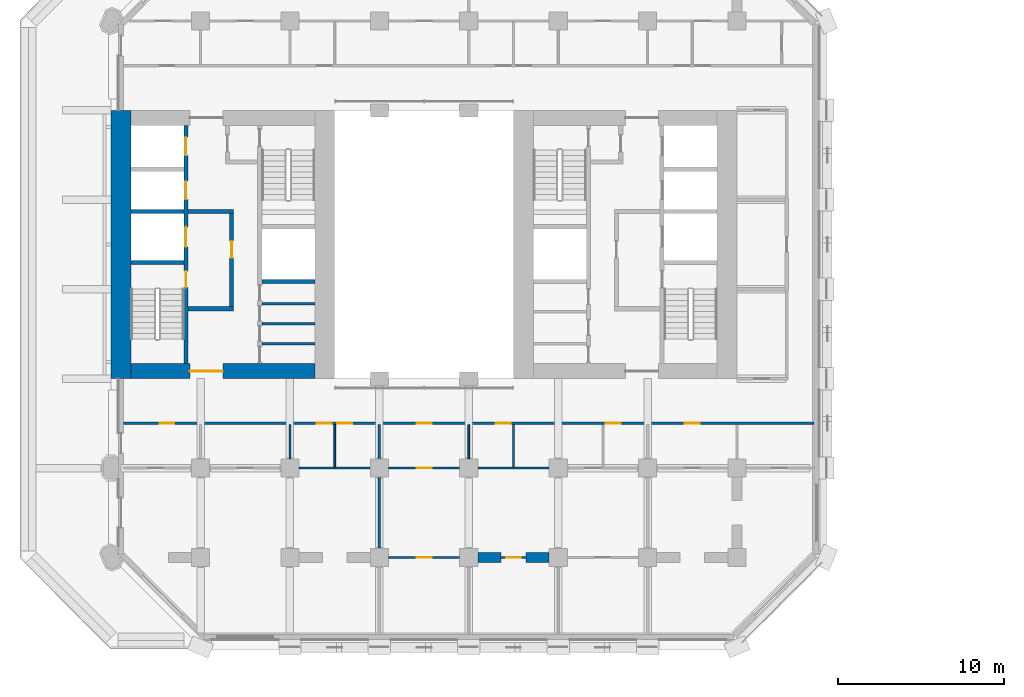
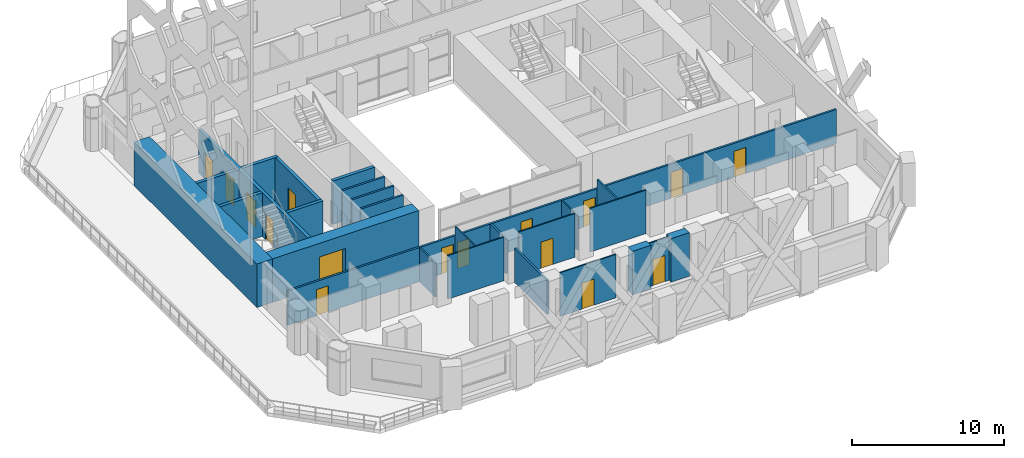
# One storey, part 7 of 14: 26 walls, 16 doors, 16 openings.
"""IFC4 building model written with IfcOpenShell, lengths in metres."""

from ifc_helpers import new_model, si_unit, direction, frame, frame_2d, origin, place, context, subcontext, project, spatial, rectangle, extrude, material, layer, layer_set, type_object, element, fill, save


model = new_model("IFC4")

# Units and contexts
model_context = context("Model", 3, precision=1e-05, world=origin(), true_north=direction((0.0, 1.0)))
body_context = subcontext(model_context, "Body", "Model", "MODEL_VIEW")
ifc_project = project(units=[si_unit("LENGTHUNIT", "METRE"), si_unit("AREAUNIT", "SQUARE_METRE"), si_unit("VOLUMEUNIT", "CUBIC_METRE"), si_unit("PLANEANGLEUNIT", "RADIAN"), si_unit("MASSUNIT", "GRAM", prefix="KILO")], contexts=[model_context])

# Site, building, storey
site_placement = place(None, origin())
site = spatial("IfcSite", under=ifc_project, at=site_placement, CompositionType="ELEMENT")
building_placement = place(site_placement, origin())
building = spatial("IfcBuilding", under=site, at=building_placement, Name="Tabaq Tower and Sports Hall", CompositionType="ELEMENT")
storey_placement = place(building_placement, frame((0.0, 0.0, 33.60009765625)))
storey = spatial("IfcBuildingStorey", under=building, at=storey_placement, Name="L06", CompositionType="ELEMENT", Elevation=33.60009765625)

# Walls
ifc_material_1 = material(Name="Blockwork", Category="masonry")
ifc_layer_1 = layer(ifc_material_1, 0.14990234375)
ifc_layer_set_1 = layer_set([ifc_layer_1], Name="Core room partition 150 Blockwork")
wall_type_1 = type_object("IfcWallType", Name="Core room partition 150 Blockwork", PredefinedType="PARTITIONING", material=ifc_layer_set_1)
for number, where, z_axis, x_axis, name in (
    (1, (14.5, 18.31201171875, 0.0), (0.0, 0.0, 1.0), (1.0, 0.0, 0.0), "Core room partition W L06"),
    (2, (14.5, 19.52490234375, 0.0), (0.0, 0.0, 1.0), (1.0, 0.0, 0.0), "Core room partition W L06"),
    (3, (14.5, 20.737060546875, 0.0), (0.0, 0.0, 1.0), (1.0, 0.0, 0.0), "Core room partition W L06"),
):
    element("IfcWall", number, at=place(storey_placement, frame(where, z_axis=z_axis, x_axis=x_axis)), inside=storey, type_object=wall_type_1, Name=name, PredefinedType="PARTITIONING", context=body_context, shape_type="SweptSolid", body=[
        extrude(rectangle(XDim=3.199951171875, YDim=0.14990234375, at=frame_2d((1.60009765625, 0.0))), origin(), (0.0, 0.0, 1.0), 3.5),
    ])
ifc_material_2 = material(Name="Concrete C60/75", Category="concrete")
ifc_layer_2 = layer(ifc_material_2, 1.199951171875)
ifc_layer_set_2 = layer_set([ifc_layer_2], Name="Core wall 1200 Concrete C60/75")
wall_type_2 = type_object("IfcWallType", Name="Core wall 1200 Concrete C60/75", PredefinedType="SOLIDWALL", material=ifc_layer_set_2)
wall_1_placement = place(storey_placement, frame((6.0, 16.199951171875, 0.0), z_axis=(0.0, 0.0, 1.0), x_axis=(0.0, 1.0, 0.0)))
element("IfcWall", 4, at=wall_1_placement, inside=storey, type_object=wall_type_2, Name="Core wall W L06", PredefinedType="SOLIDWALL", context=body_context, shape_type="SweptSolid", body=[
    extrude(rectangle(XDim=16.199951171875, YDim=1.199951171875, at=frame_2d((8.10009765625, 0.0))), origin(), (0.0, 0.0, 1.0), 3.5),
])

# Wall, opening, door
ifc_material_3 = material(Name="Concrete C60/75", Category="concrete")
ifc_layer_3 = layer(ifc_material_3, 0.89990234375)
ifc_layer_set_3 = layer_set([ifc_layer_3], Name="Core wall 900 Concrete C60/75")
wall_type_3 = type_object("IfcWallType", Name="Core wall 900 Concrete C60/75", PredefinedType="SOLIDWALL", material=ifc_layer_set_3)
wall_2_placement = place(storey_placement, frame((17.699951171875, 16.64990234375, 0.0), z_axis=(0.0, 0.0, 1.0), x_axis=(-1.0, 0.0, 0.0)))
wall_2 = element("IfcWall", 5, at=wall_2_placement, inside=storey, type_object=wall_type_3, Name="Core wall W L06", PredefinedType="SOLIDWALL", context=body_context, shape_type="SweptSolid", body=[
    extrude(rectangle(XDim=11.099853515625, YDim=0.89990234375, at=frame_2d((5.5498046875, 0.0))), origin(), (0.0, 0.0, 1.0), 3.5),
])
opening_1_placement = place(wall_2_placement, frame((5.550048828125, 0.0, 0.0)))
opening_1 = element("IfcOpeningElement", 6, at=opening_1_placement, cuts=wall_2, Name="Opening PD-WL06-01", PredefinedType="OPENING", context=body_context, shape_type="SweptSolid", body=[
    extrude(rectangle(XDim=2.0, YDim=2.39990234375, at=frame_2d((1.0, 1.199951171875))), frame((0.0, 0.449951171875, 0.0), z_axis=(0.0, -1.0, 0.0), x_axis=(1.0, 0.0, 0.0)), (0.0, 0.0, 1.0), 0.89990234375),
])
ifc_material_4 = material(Name="Steel fire door", Category="steel")
door_type_1 = type_object("IfcDoorType", Name="Core entrance door 2000", OperationType="DOUBLE_DOOR_SINGLE_SWING", PredefinedType="DOOR", material=ifc_material_4)
door_1_placement = place(opening_1_placement, origin())
door_1 = element("IfcDoor", 7, at=door_1_placement, inside=storey, type_object=door_type_1, Name="Core entrance south W L06", OperationType="DOUBLE_DOOR_SINGLE_SWING", OverallHeight=2.39990234375, OverallWidth=2.0, PredefinedType="DOOR", context=body_context, shape_type="SweptSolid", body=[
    extrude(rectangle(XDim=2.0, YDim=2.39990234375, at=frame_2d((1.0, 1.199951171875))), frame((0.0, 0.02490234375, 0.0), z_axis=(0.0, -1.0, 0.0), x_axis=(1.0, 0.0, 0.0)), (0.0, 0.0, 1.0), 0.050048828125),
])
fill(opening_1, door_1)

# Walls
ifc_material_5 = material(Name="Gypsum board on steel studs", Category="steel")
ifc_layer_4 = layer(ifc_material_5, 0.10009765625)
ifc_layer_set_4 = layer_set([ifc_layer_4], Name="Partition 100 Gypsum board")
wall_type_4 = type_object("IfcWallType", Name="Partition 100 Gypsum board", PredefinedType="PARTITIONING", material=ifc_layer_set_4)
wall_3_placement = place(storey_placement, frame((16.199951171875, 11.3701171875, 0.0), z_axis=(0.0, 0.0, 1.0), x_axis=(0.0, 1.0, 0.0)))
element("IfcWall", 8, at=wall_3_placement, inside=storey, type_object=wall_type_4, Name="Partition wall L06", PredefinedType="PARTITIONING", context=body_context, shape_type="SweptSolid", body=[
    extrude(rectangle(XDim=2.054931640625, YDim=0.10009765625, at=frame_2d((1.02734375, 0.0))), origin(), (0.0, 0.0, 1.0), 2.75),
])
wall_4_placement = place(storey_placement, frame((18.89990234375, 10.85009765625, 0.0), z_axis=(0.0, 0.0, 1.0), x_axis=(0.0, 1.0, 0.0)))
element("IfcWall", 9, at=wall_4_placement, inside=storey, type_object=wall_type_4, Name="Partition wall L06", PredefinedType="PARTITIONING", context=body_context, shape_type="SweptSolid", body=[
    extrude(rectangle(XDim=2.574951171875, YDim=0.10009765625, at=frame_2d((1.28759765625, 0.0))), origin(), (0.0, 0.0, 1.0), 3.5),
])
wall_5_placement = place(storey_placement, frame((16.77001953125, 10.800048828125, 0.0), z_axis=(0.0, 0.0, 1.0), x_axis=(1.0, 0.0, 0.0)))
element("IfcWall", 10, at=wall_5_placement, inside=storey, type_object=wall_type_4, Name="Partition wall L06", PredefinedType="PARTITIONING", context=body_context, shape_type="SweptSolid", body=[
    extrude(rectangle(XDim=4.260009765625, YDim=0.10009765625, at=frame_2d((2.1298828125, 0.0))), origin(), (0.0, 0.0, 1.0), 3.5),
])

# Wall, opening, door
wall_6_placement = place(storey_placement, frame((22.169921875, 10.800048828125, 0.0), z_axis=(0.0, 0.0, 1.0), x_axis=(1.0, 0.0, 0.0)))
wall_6 = element("IfcWall", 11, at=wall_6_placement, inside=storey, type_object=wall_type_4, Name="Partition wall L06", PredefinedType="PARTITIONING", context=body_context, shape_type="SweptSolid", body=[
    extrude(rectangle(XDim=4.260009765625, YDim=0.10009765625, at=frame_2d((2.1298828125, 0.0))), origin(), (0.0, 0.0, 1.0), 3.5),
])
opening_2_placement = place(wall_6_placement, frame((1.679931640625, 0.0, 0.0)))
opening_2 = element("IfcOpeningElement", 12, at=opening_2_placement, cuts=wall_6, Name="Opening L06-029", PredefinedType="OPENING", context=body_context, shape_type="SweptSolid", body=[
    extrude(rectangle(XDim=0.89990234375, YDim=2.10009765625, at=frame_2d((0.449951171875, 1.050048828125))), frame((0.0, 0.050048828125, 0.0), z_axis=(0.0, -1.0, 0.0), x_axis=(1.0, 0.0, 0.0)), (0.0, 0.0, 1.0), 0.10009765625),
])
ifc_material_6 = material(Name="Timber leaf in steel frame", Category="steel")
door_type_2 = type_object("IfcDoorType", Name="Internal door 900 right hand", OperationType="SINGLE_SWING_RIGHT", PredefinedType="DOOR", material=ifc_material_6)
door_2_placement = place(opening_2_placement, origin())
door_2 = element("IfcDoor", 13, at=door_2_placement, inside=storey, type_object=door_type_2, Name="Internal door L06-029", OperationType="SINGLE_SWING_RIGHT", OverallHeight=2.10009765625, OverallWidth=0.89990234375, PredefinedType="DOOR", context=body_context, shape_type="SweptSolid", body=[
    extrude(rectangle(XDim=0.89990234375, YDim=2.10009765625, at=frame_2d((0.449951171875, 1.050048828125))), frame((0.0, 0.02490234375, 0.0), z_axis=(0.0, -1.0, 0.0), x_axis=(1.0, 0.0, 0.0)), (0.0, 0.0, 1.0), 0.050048828125),
])
fill(opening_2, door_2)

# Walls
wall_7_placement = place(storey_placement, frame((27.0, 11.3701171875, 0.0), z_axis=(0.0, 0.0, 1.0), x_axis=(0.0, 1.0, 0.0)))
element("IfcWall", 14, at=wall_7_placement, inside=storey, type_object=wall_type_4, Name="Partition wall L06", PredefinedType="PARTITIONING", context=body_context, shape_type="SweptSolid", body=[
    extrude(rectangle(XDim=2.054931640625, YDim=0.10009765625, at=frame_2d((1.02734375, 0.0))), origin(), (0.0, 0.0, 1.0), 2.75),
])
wall_8_placement = place(storey_placement, frame((29.699951171875, 10.85009765625, 0.0), z_axis=(0.0, 0.0, 1.0), x_axis=(0.0, 1.0, 0.0)))
element("IfcWall", 15, at=wall_8_placement, inside=storey, type_object=wall_type_4, Name="Partition wall L06", PredefinedType="PARTITIONING", context=body_context, shape_type="SweptSolid", body=[
    extrude(rectangle(XDim=2.574951171875, YDim=0.10009765625, at=frame_2d((1.28759765625, 0.0))), origin(), (0.0, 0.0, 1.0), 3.5),
])
wall_9_placement = place(storey_placement, frame((27.570068359375, 10.800048828125, 0.0), z_axis=(0.0, 0.0, 1.0), x_axis=(1.0, 0.0, 0.0)))
element("IfcWall", 16, at=wall_9_placement, inside=storey, type_object=wall_type_4, Name="Partition wall L06", PredefinedType="PARTITIONING", context=body_context, shape_type="SweptSolid", body=[
    extrude(rectangle(XDim=4.260009765625, YDim=0.10009765625, at=frame_2d((2.1298828125, 0.0))), origin(), (0.0, 0.0, 1.0), 3.5),
])

# Wall, opening, door
wall_10_placement = place(storey_placement, frame((22.169921875, 5.39990234375, 0.0), z_axis=(0.0, 0.0, 1.0), x_axis=(1.0, 0.0, 0.0)))
wall_10 = element("IfcWall", 17, at=wall_10_placement, inside=storey, type_object=wall_type_4, Name="Partition wall L06", PredefinedType="PARTITIONING", context=body_context, shape_type="SweptSolid", body=[
    extrude(rectangle(XDim=4.260009765625, YDim=0.10009765625, at=frame_2d((2.1298828125, 0.0))), origin(), (0.0, 0.0, 1.0), 3.5),
])
opening_3_placement = place(wall_10_placement, frame((1.679931640625, 0.0, 0.0)))
opening_3 = element("IfcOpeningElement", 18, at=opening_3_placement, cuts=wall_10, Name="Opening L06-019", PredefinedType="OPENING", context=body_context, shape_type="SweptSolid", body=[
    extrude(rectangle(XDim=0.89990234375, YDim=2.10009765625, at=frame_2d((0.449951171875, 1.050048828125))), frame((0.0, 0.050048828125, 0.0), z_axis=(0.0, -1.0, 0.0), x_axis=(1.0, 0.0, 0.0)), (0.0, 0.0, 1.0), 0.10009765625),
])
ifc_material_7 = material(Name="Timber leaf in steel frame", Category="steel")
door_type_3 = type_object("IfcDoorType", Name="Internal door 900 left hand", OperationType="SINGLE_SWING_LEFT", PredefinedType="DOOR", material=ifc_material_7)
door_3_placement = place(opening_3_placement, origin())
door_3 = element("IfcDoor", 19, at=door_3_placement, inside=storey, type_object=door_type_3, Name="Internal door L06-019", OperationType="SINGLE_SWING_LEFT", OverallHeight=2.10009765625, OverallWidth=0.89990234375, PredefinedType="DOOR", context=body_context, shape_type="SweptSolid", body=[
    extrude(rectangle(XDim=0.89990234375, YDim=2.10009765625, at=frame_2d((0.449951171875, 1.050048828125))), frame((0.0, 0.02490234375, 0.0), z_axis=(0.0, -1.0, 0.0), x_axis=(1.0, 0.0, 0.0)), (0.0, 0.0, 1.0), 0.050048828125),
])
fill(opening_3, door_3)

wall_11_placement = place(storey_placement, frame((28.949951171875, 5.39990234375, 0.0), z_axis=(0.0, 0.0, 1.0), x_axis=(1.0, 0.0, 0.0)))
wall_11 = element("IfcWall", 20, at=wall_11_placement, inside=storey, type_object=wall_type_4, Name="Partition wall L06", PredefinedType="PARTITIONING", context=body_context, shape_type="SweptSolid", body=[
    extrude(rectangle(XDim=1.5, YDim=0.10009765625, at=frame_2d((0.75, 0.0))), origin(), (0.0, 0.0, 1.0), 3.5),
])
opening_4_placement = place(wall_11_placement, frame((0.300048828125, 0.0, 0.0)))
opening_4 = element("IfcOpeningElement", 21, at=opening_4_placement, cuts=wall_11, Name="Opening L06-020", PredefinedType="OPENING", context=body_context, shape_type="SweptSolid", body=[
    extrude(rectangle(XDim=0.89990234375, YDim=2.10009765625, at=frame_2d((0.449951171875, 1.050048828125))), frame((0.0, 0.050048828125, 0.0), z_axis=(0.0, -1.0, 0.0), x_axis=(1.0, 0.0, 0.0)), (0.0, 0.0, 1.0), 0.10009765625),
])
door_4_placement = place(opening_4_placement, origin())
door_4 = element("IfcDoor", 22, at=door_4_placement, inside=storey, type_object=door_type_3, Name="Internal door L06-020", OperationType="SINGLE_SWING_LEFT", OverallHeight=2.10009765625, OverallWidth=0.89990234375, PredefinedType="DOOR", context=body_context, shape_type="SweptSolid", body=[
    extrude(rectangle(XDim=0.89990234375, YDim=2.10009765625, at=frame_2d((0.449951171875, 1.050048828125))), frame((0.0, 0.02490234375, 0.0), z_axis=(0.0, -1.0, 0.0), x_axis=(1.0, 0.0, 0.0)), (0.0, 0.0, 1.0), 0.050048828125),
])
fill(opening_4, door_4)

# Walls
ifc_material_8 = material(Name="Concrete C60/75", Category="concrete")
ifc_layer_5 = layer(ifc_material_8, 0.60009765625)
ifc_layer_set_5 = layer_set([ifc_layer_5], Name="RC TRANSFER WALL 600 C60/75")
wall_type_5 = type_object("IfcWallType", Name="RC TRANSFER WALL 600 C60/75", PredefinedType="SHEAR", material=ifc_layer_set_5)
wall_12_placement = place(storey_placement, frame((27.550048828125, 5.39990234375, 0.0), z_axis=(0.0, 0.0, 1.0), x_axis=(1.0, 0.0, 0.0)))
element("IfcWall", 23, at=wall_12_placement, inside=storey, type_object=wall_type_5, Name="Transfer Wall L06 South 9", PredefinedType="SHEAR", context=body_context, shape_type="SweptSolid", body=[
    extrude(rectangle(XDim=1.39990234375, YDim=0.60009765625, at=frame_2d((0.699951171875, 0.0))), origin(), (0.0, 0.0, 1.0), 3.5),
])
wall_13_placement = place(storey_placement, frame((30.449951171875, 5.39990234375, 0.0), z_axis=(0.0, 0.0, 1.0), x_axis=(1.0, 0.0, 0.0)))
element("IfcWall", 24, at=wall_13_placement, inside=storey, type_object=wall_type_5, Name="Transfer Wall L06 South 10", PredefinedType="SHEAR", context=body_context, shape_type="SweptSolid", body=[
    extrude(rectangle(XDim=1.400146484375, YDim=0.60009765625, at=frame_2d((0.7001953125, 0.0))), origin(), (0.0, 0.0, 1.0), 3.5),
])

# Wall, openings, doors
ifc_material_9 = material(Name="Blockwork", Category="masonry")
ifc_layer_6 = layer(ifc_material_9, 0.14990234375)
ifc_layer_set_6 = layer_set([ifc_layer_6], Name="Separating wall 150 Blockwork")
wall_type_6 = type_object("IfcWallType", Name="Separating wall 150 Blockwork", PredefinedType="PARTITIONING", material=ifc_layer_set_6)
wall_14_placement = place(storey_placement, frame((47.84912109375, 13.5, 0.0), z_axis=(0.0, 0.0, 1.0), x_axis=(-1.0, 0.0, 0.0)))
wall_14 = element("IfcWall", 25, at=wall_14_placement, inside=storey, type_object=wall_type_6, Name="Separating wall L06", PredefinedType="PARTITIONING", context=body_context, shape_type="SweptSolid", body=[
    extrude(rectangle(XDim=41.6982421875, YDim=0.14990234375, at=frame_2d((20.84912109375, 0.0))), origin(), (0.0, 0.0, 1.0), 2.75),
])
opening_5_placement = place(wall_14_placement, frame((29.118896484375, 0.0, 0.0)))
opening_5 = element("IfcOpeningElement", 26, at=opening_5_placement, cuts=wall_14, Name="Opening L06-005", PredefinedType="OPENING", context=body_context, shape_type="SweptSolid", body=[
    extrude(rectangle(XDim=0.89990234375, YDim=2.10009765625, at=frame_2d((0.449951171875, 1.050048828125))), frame((0.0, 0.074951171875, 0.0), z_axis=(0.0, -1.0, 0.0), x_axis=(1.0, 0.0, 0.0)), (0.0, 0.0, 1.0), 0.14990234375),
])
opening_6_placement = place(wall_14_placement, frame((27.87890625, 0.0, 0.0)))
opening_6 = element("IfcOpeningElement", 27, at=opening_6_placement, cuts=wall_14, Name="Opening L06-006", PredefinedType="OPENING", context=body_context, shape_type="SweptSolid", body=[
    extrude(rectangle(XDim=0.89990234375, YDim=2.10009765625, at=frame_2d((0.449951171875, 1.050048828125))), frame((0.0, 0.074951171875, 0.0), z_axis=(0.0, -1.0, 0.0), x_axis=(1.0, 0.0, 0.0)), (0.0, 0.0, 1.0), 0.14990234375),
])
opening_7_placement = place(wall_14_placement, frame((18.319091796875, 0.0, 0.0)))
opening_7 = element("IfcOpeningElement", 28, at=opening_7_placement, cuts=wall_14, Name="Opening L06-007", PredefinedType="OPENING", context=body_context, shape_type="SweptSolid", body=[
    extrude(rectangle(XDim=0.89990234375, YDim=2.10009765625, at=frame_2d((0.449951171875, 1.050048828125))), frame((0.0, 0.074951171875, 0.0), z_axis=(0.0, -1.0, 0.0), x_axis=(1.0, 0.0, 0.0)), (0.0, 0.0, 1.0), 0.14990234375),
])
opening_8_placement = place(wall_14_placement, frame((11.678955078125, 0.0, 0.0)))
opening_8 = element("IfcOpeningElement", 29, at=opening_8_placement, cuts=wall_14, Name="Opening L06-008", PredefinedType="OPENING", context=body_context, shape_type="SweptSolid", body=[
    extrude(rectangle(XDim=0.89990234375, YDim=2.10009765625, at=frame_2d((0.449951171875, 1.050048828125))), frame((0.0, 0.074951171875, 0.0), z_axis=(0.0, -1.0, 0.0), x_axis=(1.0, 0.0, 0.0)), (0.0, 0.0, 1.0), 0.14990234375),
])
opening_9_placement = place(wall_14_placement, frame((38.6240234375, 0.0, 0.0)))
opening_9 = element("IfcOpeningElement", 30, at=opening_9_placement, cuts=wall_14, Name="Opening L06-024", PredefinedType="OPENING", context=body_context, shape_type="SweptSolid", body=[
    extrude(rectangle(XDim=0.89990234375, YDim=2.10009765625, at=frame_2d((0.449951171875, 1.050048828125))), frame((0.0, 0.074951171875, 0.0), z_axis=(0.0, -1.0, 0.0), x_axis=(1.0, 0.0, 0.0)), (0.0, 0.0, 1.0), 0.14990234375),
])
opening_10_placement = place(wall_14_placement, frame((23.09912109375, 0.0, 0.0)))
opening_10 = element("IfcOpeningElement", 31, at=opening_10_placement, cuts=wall_14, Name="Opening L06-025", PredefinedType="OPENING", context=body_context, shape_type="SweptSolid", body=[
    extrude(rectangle(XDim=0.89990234375, YDim=2.10009765625, at=frame_2d((0.449951171875, 1.050048828125))), frame((0.0, 0.074951171875, 0.0), z_axis=(0.0, -1.0, 0.0), x_axis=(1.0, 0.0, 0.0)), (0.0, 0.0, 1.0), 0.14990234375),
])
opening_11_placement = place(wall_14_placement, frame((6.89892578125, 0.0, 0.0)))
opening_11 = element("IfcOpeningElement", 32, at=opening_11_placement, cuts=wall_14, Name="Opening L06-026", PredefinedType="OPENING", context=body_context, shape_type="SweptSolid", body=[
    extrude(rectangle(XDim=0.89990234375, YDim=2.10009765625, at=frame_2d((0.449951171875, 1.050048828125))), frame((0.0, 0.074951171875, 0.0), z_axis=(0.0, -1.0, 0.0), x_axis=(1.0, 0.0, 0.0)), (0.0, 0.0, 1.0), 0.14990234375),
])
ifc_material_10 = material(Name="Steel fire door", Category="steel")
door_type_4 = type_object("IfcDoorType", Name="Entrance door 900 left hand", OperationType="SINGLE_SWING_LEFT", PredefinedType="DOOR", material=ifc_material_10)
door_5_placement = place(opening_5_placement, origin())
door_5 = element("IfcDoor", 33, at=door_5_placement, inside=storey, type_object=door_type_4, Name="Entrance door L06-005", OperationType="SINGLE_SWING_LEFT", OverallHeight=2.10009765625, OverallWidth=0.89990234375, PredefinedType="DOOR", context=body_context, shape_type="SweptSolid", body=[
    extrude(rectangle(XDim=0.89990234375, YDim=2.10009765625, at=frame_2d((0.449951171875, 1.050048828125))), frame((0.0, 0.02490234375, 0.0), z_axis=(0.0, -1.0, 0.0), x_axis=(1.0, 0.0, 0.0)), (0.0, 0.0, 1.0), 0.050048828125),
])
fill(opening_5, door_5)
door_6_placement = place(opening_6_placement, origin())
door_6 = element("IfcDoor", 34, at=door_6_placement, inside=storey, type_object=door_type_4, Name="Entrance door L06-006", OperationType="SINGLE_SWING_LEFT", OverallHeight=2.10009765625, OverallWidth=0.89990234375, PredefinedType="DOOR", context=body_context, shape_type="SweptSolid", body=[
    extrude(rectangle(XDim=0.89990234375, YDim=2.10009765625, at=frame_2d((0.449951171875, 1.050048828125))), frame((0.0, 0.02490234375, 0.0), z_axis=(0.0, -1.0, 0.0), x_axis=(1.0, 0.0, 0.0)), (0.0, 0.0, 1.0), 0.050048828125),
])
fill(opening_6, door_6)
door_7_placement = place(opening_7_placement, origin())
door_7 = element("IfcDoor", 35, at=door_7_placement, inside=storey, type_object=door_type_4, Name="Entrance door L06-007", OperationType="SINGLE_SWING_LEFT", OverallHeight=2.10009765625, OverallWidth=0.89990234375, PredefinedType="DOOR", context=body_context, shape_type="SweptSolid", body=[
    extrude(rectangle(XDim=0.89990234375, YDim=2.10009765625, at=frame_2d((0.449951171875, 1.050048828125))), frame((0.0, 0.02490234375, 0.0), z_axis=(0.0, -1.0, 0.0), x_axis=(1.0, 0.0, 0.0)), (0.0, 0.0, 1.0), 0.050048828125),
])
fill(opening_7, door_7)
door_8_placement = place(opening_8_placement, origin())
door_8 = element("IfcDoor", 36, at=door_8_placement, inside=storey, type_object=door_type_4, Name="Entrance door L06-008", OperationType="SINGLE_SWING_LEFT", OverallHeight=2.10009765625, OverallWidth=0.89990234375, PredefinedType="DOOR", context=body_context, shape_type="SweptSolid", body=[
    extrude(rectangle(XDim=0.89990234375, YDim=2.10009765625, at=frame_2d((0.449951171875, 1.050048828125))), frame((0.0, 0.02490234375, 0.0), z_axis=(0.0, -1.0, 0.0), x_axis=(1.0, 0.0, 0.0)), (0.0, 0.0, 1.0), 0.050048828125),
])
fill(opening_8, door_8)
door_9_placement = place(opening_9_placement, origin())
door_9 = element("IfcDoor", 37, at=door_9_placement, inside=storey, type_object=door_type_4, Name="Entrance door L06-024", OperationType="SINGLE_SWING_LEFT", OverallHeight=2.10009765625, OverallWidth=0.89990234375, PredefinedType="DOOR", context=body_context, shape_type="SweptSolid", body=[
    extrude(rectangle(XDim=0.89990234375, YDim=2.10009765625, at=frame_2d((0.449951171875, 1.050048828125))), frame((0.0, 0.02490234375, 0.0), z_axis=(0.0, -1.0, 0.0), x_axis=(1.0, 0.0, 0.0)), (0.0, 0.0, 1.0), 0.050048828125),
])
fill(opening_9, door_9)
door_10_placement = place(opening_10_placement, origin())
door_10 = element("IfcDoor", 38, at=door_10_placement, inside=storey, type_object=door_type_4, Name="Entrance door L06-025", OperationType="SINGLE_SWING_LEFT", OverallHeight=2.10009765625, OverallWidth=0.89990234375, PredefinedType="DOOR", context=body_context, shape_type="SweptSolid", body=[
    extrude(rectangle(XDim=0.89990234375, YDim=2.10009765625, at=frame_2d((0.449951171875, 1.050048828125))), frame((0.0, 0.02490234375, 0.0), z_axis=(0.0, -1.0, 0.0), x_axis=(1.0, 0.0, 0.0)), (0.0, 0.0, 1.0), 0.050048828125),
])
fill(opening_10, door_10)
door_11_placement = place(opening_11_placement, origin())
door_11 = element("IfcDoor", 39, at=door_11_placement, inside=storey, type_object=door_type_4, Name="Entrance door L06-026", OperationType="SINGLE_SWING_LEFT", OverallHeight=2.10009765625, OverallWidth=0.89990234375, PredefinedType="DOOR", context=body_context, shape_type="SweptSolid", body=[
    extrude(rectangle(XDim=0.89990234375, YDim=2.10009765625, at=frame_2d((0.449951171875, 1.050048828125))), frame((0.0, 0.02490234375, 0.0), z_axis=(0.0, -1.0, 0.0), x_axis=(1.0, 0.0, 0.0)), (0.0, 0.0, 1.0), 0.050048828125),
])
fill(opening_11, door_11)

# Walls
wall_15_placement = place(storey_placement, frame((21.60009765625, 11.3701171875, 0.0), z_axis=(0.0, 0.0, 1.0), x_axis=(0.0, 1.0, 0.0)))
element("IfcWall", 40, at=wall_15_placement, inside=storey, type_object=wall_type_6, Name="Separating wall L06", PredefinedType="PARTITIONING", context=body_context, shape_type="SweptSolid", body=[
    extrude(rectangle(XDim=2.054931640625, YDim=0.14990234375, at=frame_2d((1.02734375, 0.0))), origin(), (0.0, 0.0, 1.0), 2.75),
])
wall_16_placement = place(storey_placement, frame((21.60009765625, 10.22998046875, 0.0), z_axis=(0.0, 0.0, 1.0), x_axis=(0.0, -1.0, 0.0)))
element("IfcWall", 41, at=wall_16_placement, inside=storey, type_object=wall_type_6, Name="Separating wall L06", PredefinedType="PARTITIONING", context=body_context, shape_type="SweptSolid", body=[
    extrude(rectangle(XDim=4.260009765625, YDim=0.14990234375, at=frame_2d((2.1298828125, 0.0))), origin(), (0.0, 0.0, 1.0), 2.75),
])

# Wall, openings, doors
ifc_material_11 = material(Name="Concrete C40/50", Category="concrete")
ifc_layer_7 = layer(ifc_material_11, 0.25)
ifc_layer_set_7 = layer_set([ifc_layer_7], Name="Shaft and stair wall 250 Concrete C40/50")
wall_type_7 = type_object("IfcWallType", Name="Shaft and stair wall 250 Concrete C40/50", PredefinedType="SOLIDWALL", material=ifc_layer_set_7)
wall_17_placement = place(storey_placement, frame((9.925048828125, 17.10009765625, 0.0), z_axis=(0.0, 0.0, 1.0), x_axis=(0.0, 1.0, 0.0)))
wall_17 = element("IfcWall", 42, at=wall_17_placement, inside=storey, type_object=wall_type_7, Name="Shaft wall W L06", PredefinedType="SOLIDWALL", context=body_context, shape_type="SweptSolid", body=[
    extrude(rectangle(XDim=14.39990234375, YDim=0.25, at=frame_2d((7.199951171875, 0.0))), origin(), (0.0, 0.0, 1.0), 3.5),
])
opening_12_placement = place(wall_17_placement, frame((4.60009765625, 0.0, 0.0)))
opening_12 = element("IfcOpeningElement", 43, at=opening_12_placement, cuts=wall_17, Name="Opening SD-WL06-03", PredefinedType="OPENING", context=body_context, shape_type="SweptSolid", body=[
    extrude(rectangle(XDim=1.0, YDim=2.10009765625, at=frame_2d((0.5, 1.050048828125))), frame((0.0, 0.125, 0.0), z_axis=(0.0, -1.0, 0.0), x_axis=(1.0, 0.0, 0.0)), (0.0, 0.0, 1.0), 0.25),
])
opening_13_placement = place(wall_17_placement, frame((7.0625, 0.0, 0.0)))
opening_13 = element("IfcOpeningElement", 44, at=opening_13_placement, cuts=wall_17, Name="Opening LD-FF1-L06", PredefinedType="OPENING", context=body_context, shape_type="SweptSolid", body=[
    extrude(rectangle(XDim=1.199951171875, YDim=2.10009765625, at=frame_2d((0.60009765625, 1.050048828125))), frame((0.0, 0.125, 0.0), z_axis=(0.0, -1.0, 0.0), x_axis=(1.0, 0.0, 0.0)), (0.0, 0.0, 1.0), 0.25),
])
opening_14_placement = place(wall_17_placement, frame((9.925048828125, 0.0, 0.0)))
opening_14 = element("IfcOpeningElement", 45, at=opening_14_placement, cuts=wall_17, Name="Opening LD-LR1-L06", PredefinedType="OPENING", context=body_context, shape_type="SweptSolid", body=[
    extrude(rectangle(XDim=1.10009765625, YDim=2.10009765625, at=frame_2d((0.550048828125, 1.050048828125))), frame((0.0, 0.125, 0.0), z_axis=(0.0, -1.0, 0.0), x_axis=(1.0, 0.0, 0.0)), (0.0, 0.0, 1.0), 0.25),
])
opening_15_placement = place(wall_17_placement, frame((12.58740234375, 0.0, 0.0)))
opening_15 = element("IfcOpeningElement", 46, at=opening_15_placement, cuts=wall_17, Name="Opening LD-LR2-L06", PredefinedType="OPENING", context=body_context, shape_type="SweptSolid", body=[
    extrude(rectangle(XDim=1.10009765625, YDim=2.10009765625, at=frame_2d((0.550048828125, 1.050048828125))), frame((0.0, 0.125, 0.0), z_axis=(0.0, -1.0, 0.0), x_axis=(1.0, 0.0, 0.0)), (0.0, 0.0, 1.0), 0.25),
])
ifc_material_12 = material(Name="Stainless steel", Category="steel")
door_type_5 = type_object("IfcDoorType", Name="Lift landing door 1100", OperationType="DOUBLE_DOOR_SLIDING", PredefinedType="DOOR", material=ifc_material_12)
door_12_placement = place(opening_14_placement, origin())
door_12 = element("IfcDoor", 47, at=door_12_placement, inside=storey, type_object=door_type_5, Name="Lift landing door LR1 W L06", OperationType="DOUBLE_DOOR_SLIDING", OverallHeight=2.10009765625, OverallWidth=1.10009765625, PredefinedType="DOOR", context=body_context, shape_type="SweptSolid", body=[
    extrude(rectangle(XDim=1.10009765625, YDim=2.10009765625, at=frame_2d((0.550048828125, 1.050048828125))), frame((0.0, 0.02490234375, 0.0), z_axis=(0.0, -1.0, 0.0), x_axis=(1.0, 0.0, 0.0)), (0.0, 0.0, 1.0), 0.050048828125),
])
fill(opening_14, door_12)
door_13_placement = place(opening_15_placement, origin())
door_13 = element("IfcDoor", 48, at=door_13_placement, inside=storey, type_object=door_type_5, Name="Lift landing door LR2 W L06", OperationType="DOUBLE_DOOR_SLIDING", OverallHeight=2.10009765625, OverallWidth=1.10009765625, PredefinedType="DOOR", context=body_context, shape_type="SweptSolid", body=[
    extrude(rectangle(XDim=1.10009765625, YDim=2.10009765625, at=frame_2d((0.550048828125, 1.050048828125))), frame((0.0, 0.02490234375, 0.0), z_axis=(0.0, -1.0, 0.0), x_axis=(1.0, 0.0, 0.0)), (0.0, 0.0, 1.0), 0.050048828125),
])
fill(opening_15, door_13)
ifc_material_13 = material(Name="Stainless steel", Category="steel")
door_type_6 = type_object("IfcDoorType", Name="Lift landing door 1200", OperationType="DOUBLE_DOOR_SLIDING", PredefinedType="DOOR", material=ifc_material_13)
door_14_placement = place(opening_13_placement, origin())
door_14 = element("IfcDoor", 49, at=door_14_placement, inside=storey, type_object=door_type_6, Name="Lift landing door FF1 W L06", OperationType="DOUBLE_DOOR_SLIDING", OverallHeight=2.10009765625, OverallWidth=1.199951171875, PredefinedType="DOOR", context=body_context, shape_type="SweptSolid", body=[
    extrude(rectangle(XDim=1.199951171875, YDim=2.10009765625, at=frame_2d((0.60009765625, 1.050048828125))), frame((0.0, 0.02490234375, 0.0), z_axis=(0.0, -1.0, 0.0), x_axis=(1.0, 0.0, 0.0)), (0.0, 0.0, 1.0), 0.050048828125),
])
fill(opening_13, door_14)
ifc_material_14 = material(Name="Steel fire door", Category="steel")
door_type_7 = type_object("IfcDoorType", Name="Stair door 1000", OperationType="SINGLE_SWING_LEFT", PredefinedType="DOOR", material=ifc_material_14)
door_15_placement = place(opening_12_placement, origin())
door_15 = element("IfcDoor", 50, at=door_15_placement, inside=storey, type_object=door_type_7, Name="Stair door ST1 W L06", OperationType="SINGLE_SWING_LEFT", OverallHeight=2.10009765625, OverallWidth=1.0, PredefinedType="DOOR", context=body_context, shape_type="SweptSolid", body=[
    extrude(rectangle(XDim=1.0, YDim=2.10009765625, at=frame_2d((0.5, 1.050048828125))), frame((0.0, 0.02490234375, 0.0), z_axis=(0.0, -1.0, 0.0), x_axis=(1.0, 0.0, 0.0)), (0.0, 0.0, 1.0), 0.050048828125),
])
fill(opening_12, door_15)

# Walls
for number, where, z_axis, x_axis, name in (
    (51, (6.60009765625, 23.22509765625, 0.0), (0.0, 0.0, 1.0), (1.0, 0.0, 0.0), "Stair enclosure wall W L06"),
    (52, (14.5, 22.074951171875, 0.0), (0.0, 0.0, 1.0), (1.0, 0.0, 0.0), "Shaft wall W L06"),
    (53, (6.60009765625, 26.300048828125, 0.0), (0.0, 0.0, 1.0), (1.0, 0.0, 0.0), "Shaft wall W L06"),
):
    element("IfcWall", number, at=place(storey_placement, frame(where, z_axis=z_axis, x_axis=x_axis)), inside=storey, type_object=wall_type_7, Name=name, PredefinedType="SOLIDWALL", context=body_context, shape_type="SweptSolid", body=[
        extrude(rectangle(XDim=3.199951171875, YDim=0.25, at=frame_2d((1.60009765625, 0.0))), origin(), (0.0, 0.0, 1.0), 3.5),
    ])
for number, where, z_axis, x_axis, name in (
    (54, (10.050048828125, 26.300048828125, 0.0), (0.0, 0.0, 1.0), (1.0, 0.0, 0.0), "Fire-fighting lobby wall W L06"),
    (55, (10.050048828125, 20.425048828125, 0.0), (0.0, 0.0, 1.0), (1.0, 0.0, 0.0), "Fire-fighting lobby wall W L06"),
):
    element("IfcWall", number, at=place(storey_placement, frame(where, z_axis=z_axis, x_axis=x_axis)), inside=storey, type_object=wall_type_7, Name=name, PredefinedType="SOLIDWALL", context=body_context, shape_type="SweptSolid", body=[
        extrude(rectangle(XDim=2.75, YDim=0.25, at=frame_2d((1.375, 0.0))), origin(), (0.0, 0.0, 1.0), 3.5),
    ])

# Wall, opening, door
wall_18_placement = place(storey_placement, frame((12.675048828125, 20.550048828125, 0.0), z_axis=(0.0, 0.0, 1.0), x_axis=(0.0, 1.0, 0.0)))
wall_18 = element("IfcWall", 56, at=wall_18_placement, inside=storey, type_object=wall_type_7, Name="Fire-fighting lobby wall W L06", PredefinedType="SOLIDWALL", context=body_context, shape_type="SweptSolid", body=[
    extrude(rectangle(XDim=5.625, YDim=0.25, at=frame_2d((2.8125, 0.0))), origin(), (0.0, 0.0, 1.0), 3.5),
])
opening_16_placement = place(wall_18_placement, frame((2.949951171875, 0.0, 0.0)))
opening_16 = element("IfcOpeningElement", 57, at=opening_16_placement, cuts=wall_18, Name="Opening FD-WL06-04", PredefinedType="OPENING", context=body_context, shape_type="SweptSolid", body=[
    extrude(rectangle(XDim=1.0, YDim=2.10009765625, at=frame_2d((0.5, 1.050048828125))), frame((0.0, 0.125, 0.0), z_axis=(0.0, -1.0, 0.0), x_axis=(1.0, 0.0, 0.0)), (0.0, 0.0, 1.0), 0.25),
])
ifc_material_15 = material(Name="Steel fire door", Category="steel")
door_type_8 = type_object("IfcDoorType", Name="Fire-fighting lobby door 1000", OperationType="SINGLE_SWING_LEFT", PredefinedType="DOOR", material=ifc_material_15)
door_16_placement = place(opening_16_placement, origin())
door_16 = element("IfcDoor", 58, at=door_16_placement, inside=storey, type_object=door_type_8, Name="Fire-fighting lobby door W L06", OperationType="SINGLE_SWING_LEFT", OverallHeight=2.10009765625, OverallWidth=1.0, PredefinedType="DOOR", context=body_context, shape_type="SweptSolid", body=[
    extrude(rectangle(XDim=1.0, YDim=2.10009765625, at=frame_2d((0.5, 1.050048828125))), frame((0.0, 0.02490234375, 0.0), z_axis=(0.0, -1.0, 0.0), x_axis=(1.0, 0.0, 0.0)), (0.0, 0.0, 1.0), 0.050048828125),
])
fill(opening_16, door_16)

save(model, "model.ifc")
